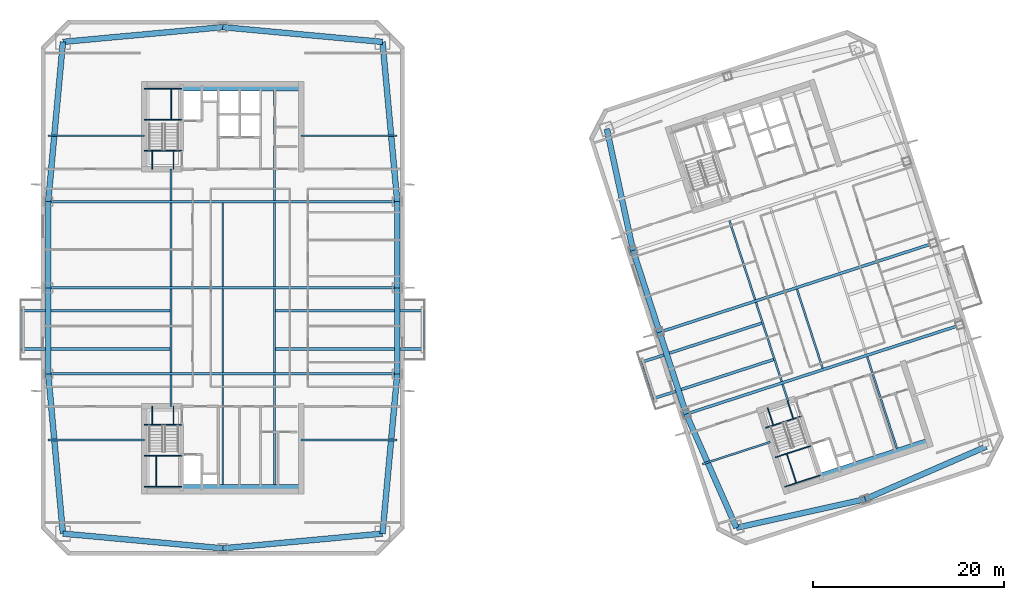
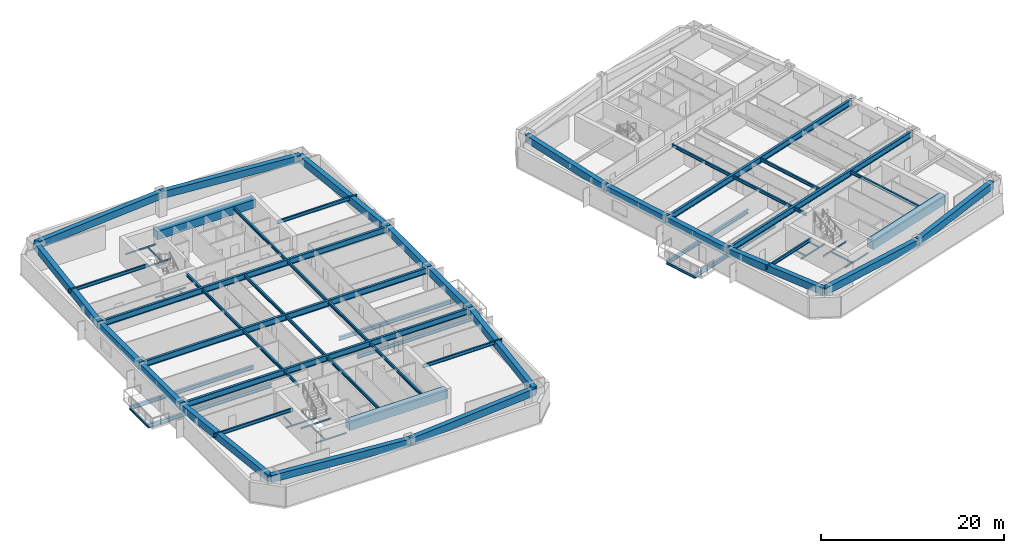
# One storey, part 3 of 17: 74 beams.
"""IFC4 building model written with IfcOpenShell, lengths in metres."""

from ifc_helpers import new_model, si_unit, direction, frame, origin, origin_2d, place, context, subcontext, project, spatial, rectangle, i_section, extrude, material, material_profile, profile_set, type_object, element, save


model = new_model("IFC4")

# Units and contexts
model_context = context("Model", 3, precision=1e-05, world=origin(), true_north=direction((0.0, 1.0)))
body_context = subcontext(model_context, "Body", "Model", "MODEL_VIEW")
ifc_project = project(units=[si_unit("LENGTHUNIT", "METRE"), si_unit("AREAUNIT", "SQUARE_METRE"), si_unit("VOLUMEUNIT", "CUBIC_METRE"), si_unit("PLANEANGLEUNIT", "RADIAN"), si_unit("MASSUNIT", "GRAM", prefix="KILO")], contexts=[model_context])

# Site, building, storey
site_placement = place(None, origin())
site = spatial("IfcSite", under=ifc_project, at=site_placement, CompositionType="ELEMENT")
building_placement = place(site_placement, origin())
building = spatial("IfcBuilding", under=site, at=building_placement, Name="Qiaolan Cultural Towers", CompositionType="ELEMENT")
storey_placement = place(building_placement, frame((0.0, 0.0, 152.949951171875)))
storey = spatial("IfcBuildingStorey", under=building, at=storey_placement, Name="L40", CompositionType="ELEMENT", Elevation=152.949951171875)

# Beams
ifc_material_1 = material(Name="Steel Q355B", Category="steel")
ifc_material_profile_1 = material_profile(ifc_material_1, i_section(OverallWidth=0.300048828125, OverallDepth=0.488037109375, WebThickness=0.010986328125, FlangeThickness=0.01806640625, at=origin_2d()), Name="HM488x300x11x18")
ifc_profile_set_1 = profile_set([ifc_material_profile_1], Name="Steel Q355B")
beam_type_1 = type_object("IfcBeamType", Name="BM-HM488x300x11x18", PredefinedType="BEAM", material=ifc_profile_set_1)
for number, where, z_axis, x_axis, name in (
    (1, (24.60009765625, 27.60009765625, -0.52392578125), (-1.0, 0.0, 0.0), (0.0, -1.0, 0.0), "L40 T1 Tree Balcony Back-Spanned Bracket Beam"),
    (2, (24.60009765625, 31.60009765625, -0.52392578125), (-1.0, 0.0, 0.0), (0.0, -1.0, 0.0), "L40 T1 Tree Balcony Back-Spanned Bracket Beam"),
    (3, (35.39990234375, 27.60009765625, -0.52392578125), (1.0, 0.0, 0.0), (0.0, 1.0, 0.0), "L40 T1 Tree Balcony Back-Spanned Bracket Beam"),
    (4, (35.39990234375, 31.60009765625, -0.52392578125), (1.0, 0.0, 0.0), (0.0, 1.0, 0.0), "L40 T1 Tree Balcony Back-Spanned Bracket Beam"),
):
    element("IfcBeam", number, at=place(storey_placement, frame(where, z_axis=z_axis, x_axis=x_axis)), inside=storey, type_object=beam_type_1, Name=name, PredefinedType="BEAM", context=body_context, shape_type="SweptSolid", body=[
        extrude(i_section(OverallWidth=0.300048828125, OverallDepth=0.488037109375, WebThickness=0.010986328125, FlangeThickness=0.01806640625, at=origin_2d()), origin(), (0.0, 0.0, 1.0), 15.650146484375),
    ])
for number, where, z_axis, x_axis, name in (
    (5, (87.697998046875, 26.522705078125, -0.52392578125), (-0.951053553769, -0.309026111943, 0.0), (0.309026111943, -0.951053553769, 0.0), "L40 T2 Tree Balcony Back-Spanned Bracket Beam"),
    (6, (86.4619140625, 30.326904296875, -0.52392578125), (-0.951053553769, -0.309026111943, 0.0), (0.309026111943, -0.951053553769, 0.0), "L40 T2 Tree Balcony Back-Spanned Bracket Beam"),
):
    element("IfcBeam", number, at=place(storey_placement, frame(where, z_axis=z_axis, x_axis=x_axis)), inside=storey, type_object=beam_type_1, Name=name, PredefinedType="BEAM", context=body_context, shape_type="SweptSolid", body=[
        extrude(i_section(OverallWidth=0.300048828125, OverallDepth=0.488037109375, WebThickness=0.010986328125, FlangeThickness=0.01806640625, at=origin_2d()), origin(), (0.0, 0.0, 1.0), 13.349853515625),
    ])
ifc_material_2 = material(Name="Steel Q355B", Category="steel")
ifc_material_profile_2 = material_profile(ifc_material_2, i_section(OverallWidth=0.300048828125, OverallDepth=0.800048828125, WebThickness=0.013916015625, FlangeThickness=0.02587890625, at=origin_2d()), Name="HN800x300x14x26")
ifc_profile_set_2 = profile_set([ifc_material_profile_2], Name="Steel Q355B")
beam_type_2 = type_object("IfcBeamType", Name="BM-HN800x300x14x26", PredefinedType="BEAM", material=ifc_profile_set_2)
for number, where, z_axis, x_axis, name in (
    (7, (11.75, 25.0, 2.7900390625), (1.0, 0.0, 0.0), (0.0, 1.0, 0.0), "L40 T1 Primary Transverse Girder V1"),
    (8, (11.75, 34.0, 2.7900390625), (1.0, 0.0, 0.0), (0.0, 1.0, 0.0), "L40 T1 Primary Transverse Girder V2"),
    (9, (11.75, 43.0, 2.7900390625), (1.0, 0.0, 0.0), (0.0, 1.0, 0.0), "L40 T1 Primary Transverse Girder V3"),
):
    element("IfcBeam", number, at=place(storey_placement, frame(where, z_axis=z_axis, x_axis=x_axis)), inside=storey, type_object=beam_type_2, Name=name, PredefinedType="BEAM", context=body_context, shape_type="SweptSolid", body=[
        extrude(i_section(OverallWidth=0.300048828125, OverallDepth=0.800048828125, WebThickness=0.013916015625, FlangeThickness=0.02587890625, at=origin_2d()), origin(), (0.0, 0.0, 1.0), 36.5),
    ])
beam_1_placement = place(storey_placement, frame((78.4677734375, 20.789794921875, 2.7900390625), z_axis=(0.951055226628, 0.309020963535, 0.0), x_axis=(-0.309020963535, 0.951055226628, 0.0)))
element("IfcBeam", 10, at=beam_1_placement, inside=storey, type_object=beam_type_2, Name="L40 T2 Primary Transverse Girder V1", PredefinedType="BEAM", context=body_context, shape_type="SweptSolid", body=[
    extrude(i_section(OverallWidth=0.300048828125, OverallDepth=0.800048828125, WebThickness=0.013916015625, FlangeThickness=0.02587890625, at=origin_2d()), origin(), (0.0, 0.0, 1.0), 30.099853515625),
])
beam_2_placement = place(storey_placement, frame((75.6865234375, 29.349365234375, 2.7900390625), z_axis=(0.951058384903, 0.309011243331, 0.0), x_axis=(-0.309011243331, 0.951058384903, 0.0)))
element("IfcBeam", 11, at=beam_2_placement, inside=storey, type_object=beam_type_2, Name="L40 T2 Primary Transverse Girder V2", PredefinedType="BEAM", context=body_context, shape_type="SweptSolid", body=[
    extrude(i_section(OverallWidth=0.300048828125, OverallDepth=0.800048828125, WebThickness=0.013916015625, FlangeThickness=0.02587890625, at=origin_2d()), origin(), (0.0, 0.0, 1.0), 30.10009765625),
])
ifc_material_3 = material(Name="Steel Q355B", Category="steel")
ifc_material_profile_3 = material_profile(ifc_material_3, i_section(OverallWidth=0.175048828125, OverallDepth=0.35009765625, WebThickness=0.007080078125, FlangeThickness=0.010986328125, at=origin_2d()), Name="HN350x175x7x11")
ifc_profile_set_3 = profile_set([ifc_material_profile_3], Name="Steel Q355B")
beam_type_3 = type_object("IfcBeamType", Name="BM-JST-HN350x175x7x11", PredefinedType="JOIST", material=ifc_profile_set_3)
for number, where, z_axis, x_axis, name in (
    (12, (8.949951171875, 27.60009765625, -0.52392578125), (0.0, 1.0, 0.0), (-1.0, 0.0, 0.0), "L40 T1 Tree Balcony Outer Edge Beam"),
    (13, (51.050048828125, 27.60009765625, -0.52392578125), (0.0, 1.0, 0.0), (-1.0, 0.0, 0.0), "L40 T1 Tree Balcony Outer Edge Beam"),
    (14, (75.00146484375, 22.397216796875, -0.52392578125), (-0.309022586479, 0.951054699292, 0.0), (-0.951054699292, -0.309022586479, 0.0), "L40 T2 Tree Balcony Outer Edge Beam"),
):
    element("IfcBeam", number, at=place(storey_placement, frame(where, z_axis=z_axis, x_axis=x_axis)), inside=storey, type_object=beam_type_3, Name=name, PredefinedType="JOIST", context=body_context, shape_type="SweptSolid", body=[
        extrude(i_section(OverallWidth=0.175048828125, OverallDepth=0.35009765625, WebThickness=0.007080078125, FlangeThickness=0.010986328125, at=origin_2d()), origin(), (0.0, 0.0, 1.0), 4.0),
    ])
ifc_material_4 = material(Name="Steel Q355B", Category="steel")
ifc_material_profile_4 = material_profile(ifc_material_4, i_section(OverallWidth=0.199951171875, OverallDepth=0.39990234375, WebThickness=0.008056640625, FlangeThickness=0.012939453125, at=origin_2d()), Name="HN400x200x8x13")
ifc_profile_set_4 = profile_set([ifc_material_profile_4], Name="Steel Q355B")
beam_type_4 = type_object("IfcBeamType", Name="BM-JST-HN400x200x8x13", PredefinedType="JOIST", material=ifc_profile_set_4)
beam_3_placement = place(storey_placement, frame((24.60009765625, 21.60009765625, 2.989990234375), z_axis=(0.0, 1.0, 0.0), x_axis=(-1.0, 0.0, 0.0)))
element("IfcBeam", 15, at=beam_3_placement, inside=storey, type_object=beam_type_4, Name="L40 T1 Secondary Floor Joist U1-1", PredefinedType="JOIST", context=body_context, shape_type="SweptSolid", body=[
    extrude(i_section(OverallWidth=0.199951171875, OverallDepth=0.39990234375, WebThickness=0.008056640625, FlangeThickness=0.012939453125, at=origin_2d()), origin(), (0.0, 0.0, 1.0), 3.25),
])
for number, where, z_axis, x_axis, name in (
    (16, (24.60009765625, 25.14990234375, 2.989990234375), (0.0, 1.0, 0.0), (-1.0, 0.0, 0.0), "L40 T1 Secondary Floor Joist U1-2"),
    (17, (24.60009765625, 34.14990234375, 2.989990234375), (0.0, 1.0, 0.0), (-1.0, 0.0, 0.0), "L40 T1 Secondary Floor Joist U1-3"),
):
    element("IfcBeam", number, at=place(storey_placement, frame(where, z_axis=z_axis, x_axis=x_axis)), inside=storey, type_object=beam_type_4, Name=name, PredefinedType="JOIST", context=body_context, shape_type="SweptSolid", body=[
        extrude(i_section(OverallWidth=0.199951171875, OverallDepth=0.39990234375, WebThickness=0.008056640625, FlangeThickness=0.012939453125, at=origin_2d()), origin(), (0.0, 0.0, 1.0), 8.7001953125),
    ])
beam_4_placement = place(storey_placement, frame((24.60009765625, 43.14990234375, 2.989990234375), z_axis=(0.0, 1.0, 0.0), x_axis=(-1.0, 0.0, 0.0)))
element("IfcBeam", 18, at=beam_4_placement, inside=storey, type_object=beam_type_4, Name="L40 T1 Secondary Floor Joist U1-4", PredefinedType="JOIST", context=body_context, shape_type="SweptSolid", body=[
    extrude(i_section(OverallWidth=0.199951171875, OverallDepth=0.39990234375, WebThickness=0.008056640625, FlangeThickness=0.012939453125, at=origin_2d()), origin(), (0.0, 0.0, 1.0), 3.25),
])
beam_5_placement = place(storey_placement, frame((30.0, 13.39990234375, 2.989990234375), z_axis=(0.0, 1.0, 0.0), x_axis=(-1.0, 0.0, 0.0)))
element("IfcBeam", 19, at=beam_5_placement, inside=storey, type_object=beam_type_4, Name="L40 T1 Secondary Floor Joist U2-1", PredefinedType="JOIST", context=body_context, shape_type="SweptSolid", body=[
    extrude(i_section(OverallWidth=0.199951171875, OverallDepth=0.39990234375, WebThickness=0.008056640625, FlangeThickness=0.012939453125, at=origin_2d()), origin(), (0.0, 0.0, 1.0), 11.4501953125),
])
for number, where, z_axis, x_axis, name in (
    (20, (30.0, 25.14990234375, 2.989990234375), (0.0, 1.0, 0.0), (-1.0, 0.0, 0.0), "L40 T1 Secondary Floor Joist U2-2"),
    (21, (30.0, 34.14990234375, 2.989990234375), (0.0, 1.0, 0.0), (-1.0, 0.0, 0.0), "L40 T1 Secondary Floor Joist U2-3"),
):
    element("IfcBeam", number, at=place(storey_placement, frame(where, z_axis=z_axis, x_axis=x_axis)), inside=storey, type_object=beam_type_4, Name=name, PredefinedType="JOIST", context=body_context, shape_type="SweptSolid", body=[
        extrude(i_section(OverallWidth=0.199951171875, OverallDepth=0.39990234375, WebThickness=0.008056640625, FlangeThickness=0.012939453125, at=origin_2d()), origin(), (0.0, 0.0, 1.0), 8.7001953125),
    ])
beam_6_placement = place(storey_placement, frame((35.39990234375, 13.39990234375, 2.989990234375), z_axis=(0.0, 1.0, 0.0), x_axis=(-1.0, 0.0, 0.0)))
element("IfcBeam", 22, at=beam_6_placement, inside=storey, type_object=beam_type_4, Name="L40 T1 Secondary Floor Joist U3-1", PredefinedType="JOIST", context=body_context, shape_type="SweptSolid", body=[
    extrude(i_section(OverallWidth=0.199951171875, OverallDepth=0.39990234375, WebThickness=0.008056640625, FlangeThickness=0.012939453125, at=origin_2d()), origin(), (0.0, 0.0, 1.0), 11.4501953125),
])
for number, where, z_axis, x_axis, name in (
    (23, (35.39990234375, 25.14990234375, 2.989990234375), (0.0, 1.0, 0.0), (-1.0, 0.0, 0.0), "L40 T1 Secondary Floor Joist U3-2"),
    (24, (35.39990234375, 34.14990234375, 2.989990234375), (0.0, 1.0, 0.0), (-1.0, 0.0, 0.0), "L40 T1 Secondary Floor Joist U3-3"),
):
    element("IfcBeam", number, at=place(storey_placement, frame(where, z_axis=z_axis, x_axis=x_axis)), inside=storey, type_object=beam_type_4, Name=name, PredefinedType="JOIST", context=body_context, shape_type="SweptSolid", body=[
        extrude(i_section(OverallWidth=0.199951171875, OverallDepth=0.39990234375, WebThickness=0.008056640625, FlangeThickness=0.012939453125, at=origin_2d()), origin(), (0.0, 0.0, 1.0), 8.7001953125),
    ])
beam_7_placement = place(storey_placement, frame((35.39990234375, 43.14990234375, 2.989990234375), z_axis=(0.0, 1.0, 0.0), x_axis=(-1.0, 0.0, 0.0)))
element("IfcBeam", 25, at=beam_7_placement, inside=storey, type_object=beam_type_4, Name="L40 T1 Secondary Floor Joist U3-4", PredefinedType="JOIST", context=body_context, shape_type="SweptSolid", body=[
    extrude(i_section(OverallWidth=0.199951171875, OverallDepth=0.39990234375, WebThickness=0.008056640625, FlangeThickness=0.012939453125, at=origin_2d()), origin(), (0.0, 0.0, 1.0), 11.4501953125),
])
beam_8_placement = place(storey_placement, frame((89.119384765625, 22.147705078125, 2.989990234375), z_axis=(-0.308933885266, 0.951083516067, 0.0), x_axis=(-0.951083516067, -0.308933885266, 0.0)))
element("IfcBeam", 26, at=beam_8_placement, inside=storey, type_object=beam_type_4, Name="L40 T2 Secondary Floor Joist U1-1", PredefinedType="JOIST", context=body_context, shape_type="SweptSolid", body=[
    extrude(i_section(OverallWidth=0.199951171875, OverallDepth=0.39990234375, WebThickness=0.008056640625, FlangeThickness=0.012939453125, at=origin_2d()), origin(), (0.0, 0.0, 1.0), 1.85009765625),
])
for number, where, z_axis, x_axis, name in (
    (27, (88.455078125, 24.192626953125, 2.989990234375), (-0.309020714809, 0.951055307445, 0.0), (-0.951055307445, -0.309020714809, 0.0), "L40 T2 Secondary Floor Joist U1-2"),
    (28, (85.673828125, 32.752197265625, 2.989990234375), (-0.309020714809, 0.951055307445, 0.0), (-0.951055307445, -0.309020714809, 0.0), "L40 T2 Secondary Floor Joist U1-3"),
    (29, (92.73486328125, 25.583251953125, 2.989990234375), (-0.309020714809, 0.951055307445, 0.0), (-0.951055307445, -0.309020714809, 0.0), "L40 T2 Secondary Floor Joist U2-2"),
):
    element("IfcBeam", number, at=place(storey_placement, frame(where, z_axis=z_axis, x_axis=x_axis)), inside=storey, type_object=beam_type_4, Name=name, PredefinedType="JOIST", context=body_context, shape_type="SweptSolid", body=[
        extrude(i_section(OverallWidth=0.199951171875, OverallDepth=0.39990234375, WebThickness=0.008056640625, FlangeThickness=0.012939453125, at=origin_2d()), origin(), (0.0, 0.0, 1.0), 8.699951171875),
    ])
beam_9_placement = place(storey_placement, frame((100.498291015625, 17.222900390625, 2.989990234375), z_axis=(-0.309025649293, 0.951053704098, 0.0), x_axis=(-0.951053704098, -0.309025649293, 0.0)))
element("IfcBeam", 30, at=beam_9_placement, inside=storey, type_object=beam_type_4, Name="L40 T2 Secondary Floor Joist U3-1", PredefinedType="JOIST", context=body_context, shape_type="SweptSolid", body=[
    extrude(i_section(OverallWidth=0.199951171875, OverallDepth=0.39990234375, WebThickness=0.008056640625, FlangeThickness=0.012939453125, at=origin_2d()), origin(), (0.0, 0.0, 1.0), 10.050048828125),
])
ifc_material_5 = material(Name="Steel Q355B", Category="steel")
ifc_material_profile_5 = material_profile(ifc_material_5, i_section(OverallWidth=0.199951171875, OverallDepth=0.449951171875, WebThickness=0.009033203125, FlangeThickness=0.013916015625, at=origin_2d()), Name="HN450x200x9x14")
ifc_profile_set_5 = profile_set([ifc_material_profile_5], Name="Steel Q355B")
beam_type_5 = type_object("IfcBeamType", Name="BM-LNT-HN450x200x9x14", PredefinedType="LINTEL", material=ifc_profile_set_5)
for number, where, z_axis, x_axis, name in (
    (31, (21.800048828125, 18.10009765625, 2.965087890625), (-1.0, 0.0, 0.0), (0.0, -1.0, 0.0), "L40 T1 Core Flank Tie Lintel WS"),
    (32, (21.800048828125, 49.89990234375, 2.965087890625), (-1.0, 0.0, 0.0), (0.0, -1.0, 0.0), "L40 T1 Core Flank Tie Lintel WN"),
    (33, (38.199951171875, 18.10009765625, 2.965087890625), (1.0, 0.0, 0.0), (0.0, 1.0, 0.0), "L40 T1 Core Flank Tie Lintel ES"),
    (34, (38.199951171875, 49.89990234375, 2.965087890625), (1.0, 0.0, 0.0), (0.0, 1.0, 0.0), "L40 T1 Core Flank Tie Lintel EN"),
):
    element("IfcBeam", number, at=place(storey_placement, frame(where, z_axis=z_axis, x_axis=x_axis)), inside=storey, type_object=beam_type_5, Name=name, PredefinedType="LINTEL", context=body_context, shape_type="SweptSolid", body=[
        extrude(i_section(OverallWidth=0.199951171875, OverallDepth=0.449951171875, WebThickness=0.009033203125, FlangeThickness=0.013916015625, at=origin_2d()), origin(), (0.0, 0.0, 1.0), 10.050048828125),
    ])
beam_10_placement = place(storey_placement, frame((87.252685546875, 17.861083984375, 2.965087890625), z_axis=(-0.951064407856, -0.308992705592, 0.0), x_axis=(0.308992705592, -0.951064407856, 0.0)))
element("IfcBeam", 35, at=beam_10_placement, inside=storey, type_object=beam_type_5, Name="L40 T2 Core Flank Tie Lintel WS", PredefinedType="LINTEL", context=body_context, shape_type="SweptSolid", body=[
    extrude(i_section(OverallWidth=0.199951171875, OverallDepth=0.449951171875, WebThickness=0.009033203125, FlangeThickness=0.013916015625, at=origin_2d()), origin(), (0.0, 0.0, 1.0), 7.449951171875),
])
ifc_material_6 = material(Name="Concrete C50", Category="concrete")
ifc_material_profile_6 = material_profile(ifc_material_6, rectangle(XDim=0.89990234375, YDim=1.10009765625, at=origin_2d()), Name="RC900x1100")
ifc_profile_set_6 = profile_set([ifc_material_profile_6], Name="Concrete C50")
beam_type_6 = type_object("IfcBeamType", Name="BM-RC900x1100", PredefinedType="BEAM", material=ifc_profile_set_6)
for number, where, z_axis, x_axis, name in (
    (36, (25.719970703125, 12.949951171875, 2.64013671875), (1.0, 0.0, 0.0), (0.0, 1.0, 0.0), "L40 T1 Core Header Girder S"),
    (37, (25.719970703125, 55.050048828125, 2.64013671875), (1.0, 0.0, 0.0), (0.0, 1.0, 0.0), "L40 T1 Core Header Girder N"),
):
    element("IfcBeam", number, at=place(storey_placement, frame(where, z_axis=z_axis, x_axis=x_axis)), inside=storey, type_object=beam_type_6, Name=name, PredefinedType="BEAM", context=body_context, shape_type="SweptSolid", body=[
        extrude(rectangle(XDim=0.89990234375, YDim=1.10009765625, at=origin_2d()), origin(), (0.0, 0.0, 1.0), 12.47998046875),
    ])
beam_11_placement = place(storey_placement, frame((92.572265625, 14.174560546875, 2.64013671875), z_axis=(0.951056266386, 0.309017763514, 0.0), x_axis=(-0.309017763514, 0.951056266386, 0.0)))
element("IfcBeam", 38, at=beam_11_placement, inside=storey, type_object=beam_type_6, Name="L40 T2 Core Header Girder S", PredefinedType="BEAM", context=body_context, shape_type="SweptSolid", body=[
    extrude(rectangle(XDim=0.89990234375, YDim=1.10009765625, at=origin_2d()), origin(), (0.0, 0.0, 1.0), 11.880126953125),
])
ifc_material_7 = material(Name="Concrete C50", Category="concrete")
ifc_material_profile_7 = material_profile(ifc_material_7, rectangle(XDim=0.60009765625, YDim=0.949951171875, at=origin_2d()), Name="RC600x950")
ifc_profile_set_7 = profile_set([ifc_material_profile_7], Name="Concrete C50")
beam_type_7 = type_object("IfcBeamType", Name="BM-SPD-RC600x950", PredefinedType="SPANDREL", material=ifc_profile_set_7)
for number, where, z_axis, x_axis, name in (
    (39, (13.2900390625, 8.2900390625, 2.715087890625), (0.995779862064, -0.09177399582, 0.0), (0.09177399582, 0.995779862064, 0.0), "L40 T1 Perimeter Spandrel Beam 1"),
    (40, (30.0, 6.75, 2.715087890625), (0.995779862064, 0.09177399582, 0.0), (-0.09177399582, 0.995779862064, 0.0), "L40 T1 Perimeter Spandrel Beam 2"),
    (41, (46.7099609375, 8.2900390625, 2.715087890625), (0.09177399582, 0.995779862064, 0.0), (-0.995779862064, 0.09177399582, 0.0), "L40 T1 Perimeter Spandrel Beam 3"),
):
    element("IfcBeam", number, at=place(storey_placement, frame(where, z_axis=z_axis, x_axis=x_axis)), inside=storey, type_object=beam_type_7, Name=name, PredefinedType="SPANDREL", context=body_context, shape_type="SweptSolid", body=[
        extrude(rectangle(XDim=0.60009765625, YDim=0.949951171875, at=origin_2d()), origin(), (0.0, 0.0, 1.0), 16.78076171875),
    ])
for number, where, z_axis, x_axis, name in (
    (42, (48.25, 25.0, 2.715087890625), (0.0, 1.0, 0.0), (-1.0, 0.0, 0.0), "L40 T1 Perimeter Spandrel Beam 4"),
    (43, (48.25, 34.0, 2.715087890625), (0.0, 1.0, 0.0), (-1.0, 0.0, 0.0), "L40 T1 Perimeter Spandrel Beam 5"),
):
    element("IfcBeam", number, at=place(storey_placement, frame(where, z_axis=z_axis, x_axis=x_axis)), inside=storey, type_object=beam_type_7, Name=name, PredefinedType="SPANDREL", context=body_context, shape_type="SweptSolid", body=[
        extrude(rectangle(XDim=0.60009765625, YDim=0.949951171875, at=origin_2d()), origin(), (0.0, 0.0, 1.0), 9.0),
    ])
for number, where, z_axis, x_axis, name in (
    (44, (48.25, 43.0, 2.715087890625), (-0.09177399582, 0.995779862064, 0.0), (-0.995779862064, -0.09177399582, 0.0), "L40 T1 Perimeter Spandrel Beam 6"),
    (45, (46.7099609375, 59.7099609375, 2.715087890625), (-0.995779862064, 0.09177399582, 0.0), (-0.09177399582, -0.995779862064, 0.0), "L40 T1 Perimeter Spandrel Beam 7"),
    (46, (30.0, 61.25, 2.715087890625), (-0.995779862064, -0.09177399582, 0.0), (0.09177399582, -0.995779862064, 0.0), "L40 T1 Perimeter Spandrel Beam 8"),
    (47, (13.2900390625, 59.7099609375, 2.715087890625), (-0.09177399582, -0.995779862064, 0.0), (0.995779862064, -0.09177399582, 0.0), "L40 T1 Perimeter Spandrel Beam 9"),
):
    element("IfcBeam", number, at=place(storey_placement, frame(where, z_axis=z_axis, x_axis=x_axis)), inside=storey, type_object=beam_type_7, Name=name, PredefinedType="SPANDREL", context=body_context, shape_type="SweptSolid", body=[
        extrude(rectangle(XDim=0.60009765625, YDim=0.949951171875, at=origin_2d()), origin(), (0.0, 0.0, 1.0), 16.78076171875),
    ])
for number, where, z_axis, x_axis, name in (
    (48, (11.75, 43.0, 2.715087890625), (0.0, -1.0, 0.0), (1.0, 0.0, 0.0), "L40 T1 Perimeter Spandrel Beam 10"),
    (49, (11.75, 34.0, 2.715087890625), (0.0, -1.0, 0.0), (1.0, 0.0, 0.0), "L40 T1 Perimeter Spandrel Beam 11"),
):
    element("IfcBeam", number, at=place(storey_placement, frame(where, z_axis=z_axis, x_axis=x_axis)), inside=storey, type_object=beam_type_7, Name=name, PredefinedType="SPANDREL", context=body_context, shape_type="SweptSolid", body=[
        extrude(rectangle(XDim=0.60009765625, YDim=0.949951171875, at=origin_2d()), origin(), (0.0, 0.0, 1.0), 9.0),
    ])
beam_12_placement = place(storey_placement, frame((11.75, 25.0, 2.715087890625), z_axis=(0.09177399582, -0.995779862064, 0.0), x_axis=(0.995779862064, 0.09177399582, 0.0)))
element("IfcBeam", 50, at=beam_12_placement, inside=storey, type_object=beam_type_7, Name="L40 T1 Perimeter Spandrel Beam 12", PredefinedType="SPANDREL", context=body_context, shape_type="SweptSolid", body=[
    extrude(rectangle(XDim=0.60009765625, YDim=0.949951171875, at=origin_2d()), origin(), (0.0, 0.0, 1.0), 16.78076171875),
])
beam_13_placement = place(storey_placement, frame((83.71875, 8.900634765625, 2.715087890625), z_axis=(0.976265293399, 0.216578108094, 0.0), x_axis=(-0.216578108094, 0.976265293399, 0.0)))
element("IfcBeam", 51, at=beam_13_placement, inside=storey, type_object=beam_type_7, Name="L40 T2 Perimeter Spandrel Beam 1", PredefinedType="SPANDREL", context=body_context, shape_type="SweptSolid", body=[
    extrude(rectangle(XDim=0.60009765625, YDim=0.949951171875, at=origin_2d()), origin(), (0.0, 0.0, 1.0), 13.793212890625),
])
beam_14_placement = place(storey_placement, frame((97.1845703125, 11.887939453125, 2.715087890625), z_axis=(0.917117043091, 0.398618024268, 0.0), x_axis=(-0.398618024268, 0.917117043091, 0.0)))
element("IfcBeam", 52, at=beam_14_placement, inside=storey, type_object=beam_type_7, Name="L40 T2 Perimeter Spandrel Beam 2", PredefinedType="SPANDREL", context=body_context, shape_type="SweptSolid", body=[
    extrude(rectangle(XDim=0.60009765625, YDim=0.949951171875, at=origin_2d()), origin(), (0.0, 0.0, 1.0), 13.79345703125),
])
beam_15_placement = place(storey_placement, frame((70.165283203125, 50.61376953125, 2.715087890625), z_axis=(0.210832241173, -0.977522258612, 0.0), x_axis=(0.977522258612, 0.210832241173, 0.0)))
element("IfcBeam", 53, at=beam_15_placement, inside=storey, type_object=beam_type_7, Name="L40 T2 Perimeter Spandrel Beam 9", PredefinedType="SPANDREL", context=body_context, shape_type="SweptSolid", body=[
    extrude(rectangle(XDim=0.60009765625, YDim=0.949951171875, at=origin_2d()), origin(), (0.0, 0.0, 1.0), 12.997314453125),
])
beam_16_placement = place(storey_placement, frame((72.905517578125, 37.90869140625, 2.715087890625), z_axis=(0.309008170129, -0.951059383421, 0.0), x_axis=(0.951059383421, 0.309008170129, 0.0)))
element("IfcBeam", 54, at=beam_16_placement, inside=storey, type_object=beam_type_7, Name="L40 T2 Perimeter Spandrel Beam 10", PredefinedType="SPANDREL", context=body_context, shape_type="SweptSolid", body=[
    extrude(rectangle(XDim=0.60009765625, YDim=0.949951171875, at=origin_2d()), origin(), (0.0, 0.0, 1.0), 8.999755859375),
])
beam_17_placement = place(storey_placement, frame((75.6865234375, 29.349365234375, 2.715087890625), z_axis=(0.309024734286, -0.951054001411, 0.0), x_axis=(0.951054001411, 0.309024734286, 0.0)))
element("IfcBeam", 55, at=beam_17_placement, inside=storey, type_object=beam_type_7, Name="L40 T2 Perimeter Spandrel Beam 11", PredefinedType="SPANDREL", context=body_context, shape_type="SweptSolid", body=[
    extrude(rectangle(XDim=0.60009765625, YDim=0.949951171875, at=origin_2d()), origin(), (0.0, 0.0, 1.0), 9.0),
])
beam_18_placement = place(storey_placement, frame((78.4677734375, 20.789794921875, 2.715087890625), z_axis=(0.404011070002, -0.914754095545, 0.0), x_axis=(0.914754095545, 0.404011070002, 0.0)))
element("IfcBeam", 56, at=beam_18_placement, inside=storey, type_object=beam_type_7, Name="L40 T2 Perimeter Spandrel Beam 12", PredefinedType="SPANDREL", context=body_context, shape_type="SweptSolid", body=[
    extrude(rectangle(XDim=0.60009765625, YDim=0.949951171875, at=origin_2d()), origin(), (0.0, 0.0, 1.0), 12.9970703125),
])
ifc_material_8 = material(Name="Steel Q355B", Category="steel")
ifc_material_profile_8 = material_profile(ifc_material_8, i_section(OverallWidth=0.10009765625, OverallDepth=0.199951171875, WebThickness=0.005615234375, FlangeThickness=0.008056640625, at=origin_2d()), Name="HN200x100x5.5x8")
ifc_profile_set_8 = profile_set([ifc_material_profile_8], Name="Steel Q355B")
beam_type_8 = type_object("IfcBeamType", Name="BM-STTRIM-200", PredefinedType="BEAM", material=ifc_profile_set_8)
beam_19_placement = place(storey_placement, frame((21.800048828125, 19.659912109375, -0.4599609375), z_axis=(1.0, 0.0, 0.0), x_axis=(0.0, 1.0, 0.0)))
element("IfcBeam", 57, at=beam_19_placement, inside=storey, type_object=beam_type_8, Name="L40 ST-W1 Floor Landing Header Beam", PredefinedType="BEAM", context=body_context, shape_type="SweptSolid", body=[
    extrude(i_section(OverallWidth=0.10009765625, OverallDepth=0.199951171875, WebThickness=0.005615234375, FlangeThickness=0.008056640625, at=origin_2d()), origin(), (0.0, 0.0, 1.0), 3.919921875),
])
for number, where, z_axis, x_axis, name in (
    (58, (22.64990234375, 21.60009765625, -0.4599609375), (0.0, -1.0, 0.0), (1.0, 0.0, 0.0), "L40 ST-W1 Floor Landing Stringer 1"),
    (59, (24.85009765625, 21.60009765625, -0.4599609375), (0.0, -1.0, 0.0), (1.0, 0.0, 0.0), "L40 ST-W1 Floor Landing Stringer 2"),
):
    element("IfcBeam", number, at=place(storey_placement, frame(where, z_axis=z_axis, x_axis=x_axis)), inside=storey, type_object=beam_type_8, Name=name, PredefinedType="BEAM", context=body_context, shape_type="SweptSolid", body=[
        extrude(i_section(OverallWidth=0.10009765625, OverallDepth=0.199951171875, WebThickness=0.005615234375, FlangeThickness=0.008056640625, at=origin_2d()), origin(), (0.0, 0.0, 1.0), 1.940185546875),
    ])
for number, where, z_axis, x_axis, name in (
    (60, (21.800048828125, 16.411376953125, 1.425048828125), (1.0, 0.0, 0.0), (0.0, 1.0, 0.0), "L40 ST-W1 Stair Landing Support Beam 1-1"),
    (61, (21.800048828125, 13.179931640625, 1.425048828125), (1.0, 0.0, 0.0), (0.0, 1.0, 0.0), "L40 ST-W1 Stair Landing Support Beam 1-2"),
):
    element("IfcBeam", number, at=place(storey_placement, frame(where, z_axis=z_axis, x_axis=x_axis)), inside=storey, type_object=beam_type_8, Name=name, PredefinedType="BEAM", context=body_context, shape_type="SweptSolid", body=[
        extrude(i_section(OverallWidth=0.10009765625, OverallDepth=0.199951171875, WebThickness=0.005615234375, FlangeThickness=0.008056640625, at=origin_2d()), origin(), (0.0, 0.0, 1.0), 3.919921875),
    ])
beam_20_placement = place(storey_placement, frame((23.070068359375, 16.411376953125, 1.425048828125), z_axis=(0.0, -1.0, 0.0), x_axis=(1.0, 0.0, 0.0)))
element("IfcBeam", 62, at=beam_20_placement, inside=storey, type_object=beam_type_8, Name="L40 ST-W1 Stair Landing Trimmer 1", PredefinedType="BEAM", context=body_context, shape_type="SweptSolid", body=[
    extrude(i_section(OverallWidth=0.10009765625, OverallDepth=0.199951171875, WebThickness=0.005615234375, FlangeThickness=0.008056640625, at=origin_2d()), origin(), (0.0, 0.0, 1.0), 3.2314453125),
])
beam_21_placement = place(storey_placement, frame((21.800048828125, 48.340087890625, -0.4599609375), z_axis=(1.0, 0.0, 0.0), x_axis=(0.0, 1.0, 0.0)))
element("IfcBeam", 63, at=beam_21_placement, inside=storey, type_object=beam_type_8, Name="L40 ST-W2 Floor Landing Header Beam", PredefinedType="BEAM", context=body_context, shape_type="SweptSolid", body=[
    extrude(i_section(OverallWidth=0.10009765625, OverallDepth=0.199951171875, WebThickness=0.005615234375, FlangeThickness=0.008056640625, at=origin_2d()), origin(), (0.0, 0.0, 1.0), 3.919921875),
])
for number, where, z_axis, x_axis, name in (
    (64, (22.64990234375, 46.39990234375, -0.4599609375), (0.0, 1.0, 0.0), (-1.0, 0.0, 0.0), "L40 ST-W2 Floor Landing Stringer 1"),
    (65, (24.85009765625, 46.39990234375, -0.4599609375), (0.0, 1.0, 0.0), (-1.0, 0.0, 0.0), "L40 ST-W2 Floor Landing Stringer 2"),
):
    element("IfcBeam", number, at=place(storey_placement, frame(where, z_axis=z_axis, x_axis=x_axis)), inside=storey, type_object=beam_type_8, Name=name, PredefinedType="BEAM", context=body_context, shape_type="SweptSolid", body=[
        extrude(i_section(OverallWidth=0.10009765625, OverallDepth=0.199951171875, WebThickness=0.005615234375, FlangeThickness=0.008056640625, at=origin_2d()), origin(), (0.0, 0.0, 1.0), 1.940185546875),
    ])
for number, where, z_axis, x_axis, name in (
    (66, (21.800048828125, 51.588623046875, 1.425048828125), (1.0, 0.0, 0.0), (0.0, 1.0, 0.0), "L40 ST-W2 Stair Landing Support Beam 1-1"),
    (67, (21.800048828125, 54.820068359375, 1.425048828125), (1.0, 0.0, 0.0), (0.0, 1.0, 0.0), "L40 ST-W2 Stair Landing Support Beam 1-2"),
):
    element("IfcBeam", number, at=place(storey_placement, frame(where, z_axis=z_axis, x_axis=x_axis)), inside=storey, type_object=beam_type_8, Name=name, PredefinedType="BEAM", context=body_context, shape_type="SweptSolid", body=[
        extrude(i_section(OverallWidth=0.10009765625, OverallDepth=0.199951171875, WebThickness=0.005615234375, FlangeThickness=0.008056640625, at=origin_2d()), origin(), (0.0, 0.0, 1.0), 3.919921875),
    ])
beam_22_placement = place(storey_placement, frame((24.610107421875, 51.588623046875, 1.425048828125), z_axis=(0.0, 1.0, 0.0), x_axis=(-1.0, 0.0, 0.0)))
element("IfcBeam", 68, at=beam_22_placement, inside=storey, type_object=beam_type_8, Name="L40 ST-W2 Stair Landing Trimmer 1", PredefinedType="BEAM", context=body_context, shape_type="SweptSolid", body=[
    extrude(i_section(OverallWidth=0.10009765625, OverallDepth=0.199951171875, WebThickness=0.005615234375, FlangeThickness=0.008056640625, at=origin_2d()), origin(), (0.0, 0.0, 1.0), 3.2314453125),
])
beam_23_placement = place(storey_placement, frame((86.770751953125, 19.3447265625, -0.4599609375), z_axis=(0.951047798727, 0.309043823005, 0.0), x_axis=(-0.309043823005, 0.951047798727, 0.0)))
element("IfcBeam", 69, at=beam_23_placement, inside=storey, type_object=beam_type_8, Name="L40 ST-E1 Floor Landing Header Beam", PredefinedType="BEAM", context=body_context, shape_type="SweptSolid", body=[
    extrude(i_section(OverallWidth=0.10009765625, OverallDepth=0.199951171875, WebThickness=0.005615234375, FlangeThickness=0.008056640625, at=origin_2d()), origin(), (0.0, 0.0, 1.0), 3.919921875),
])
for number, where, z_axis, x_axis, name in (
    (70, (86.9794921875, 21.452392578125, -0.4599609375), (0.309083226701, -0.951034993558, 0.0), (0.951034993558, 0.309083226701, 0.0), "L40 ST-E1 Floor Landing Stringer 1"),
    (71, (89.07177734375, 22.13232421875, -0.4599609375), (0.309083226701, -0.951034993558, 0.0), (0.951034993558, 0.309083226701, 0.0), "L40 ST-E1 Floor Landing Stringer 2"),
):
    element("IfcBeam", number, at=place(storey_placement, frame(where, z_axis=z_axis, x_axis=x_axis)), inside=storey, type_object=beam_type_8, Name=name, PredefinedType="BEAM", context=body_context, shape_type="SweptSolid", body=[
        extrude(i_section(OverallWidth=0.10009765625, OverallDepth=0.199951171875, WebThickness=0.005615234375, FlangeThickness=0.008056640625, at=origin_2d()), origin(), (0.0, 0.0, 1.0), 1.93994140625),
    ])
for number, where, z_axis, x_axis, name in (
    (72, (87.774658203125, 16.255126953125, 1.425048828125), (0.951047798727, 0.309043823005, 0.0), (-0.309043823005, 0.951047798727, 0.0), "L40 ST-E1 Stair Landing Support Beam 1-1"),
    (73, (88.773193359375, 13.181884765625, 1.425048828125), (0.951047798727, 0.309043823005, 0.0), (-0.309043823005, 0.951047798727, 0.0), "L40 ST-E1 Stair Landing Support Beam 1-2"),
):
    element("IfcBeam", number, at=place(storey_placement, frame(where, z_axis=z_axis, x_axis=x_axis)), inside=storey, type_object=beam_type_8, Name=name, PredefinedType="BEAM", context=body_context, shape_type="SweptSolid", body=[
        extrude(i_section(OverallWidth=0.10009765625, OverallDepth=0.199951171875, WebThickness=0.005615234375, FlangeThickness=0.008056640625, at=origin_2d()), origin(), (0.0, 0.0, 1.0), 3.919921875),
    ])
beam_24_placement = place(storey_placement, frame((88.982421875, 16.6474609375, 1.425048828125), z_axis=(0.309033108495, -0.951051280349, 0.0), x_axis=(0.951051280349, 0.309033108495, 0.0)))
element("IfcBeam", 74, at=beam_24_placement, inside=storey, type_object=beam_type_8, Name="L40 ST-E1 Stair Landing Trimmer 1", PredefinedType="BEAM", context=body_context, shape_type="SweptSolid", body=[
    extrude(i_section(OverallWidth=0.10009765625, OverallDepth=0.199951171875, WebThickness=0.005615234375, FlangeThickness=0.008056640625, at=origin_2d()), origin(), (0.0, 0.0, 1.0), 3.231201171875),
])

save(model, "model.ifc")
